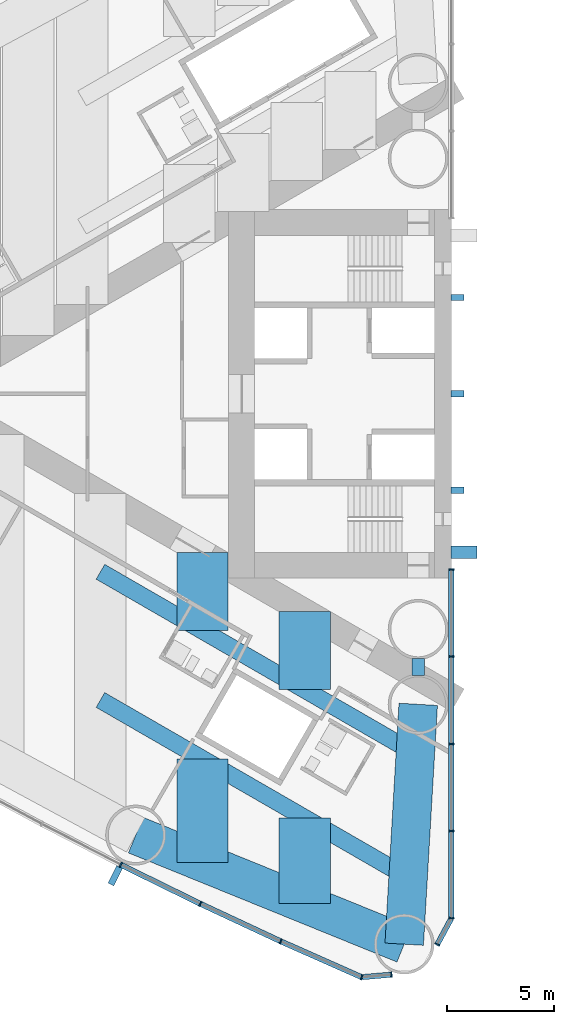
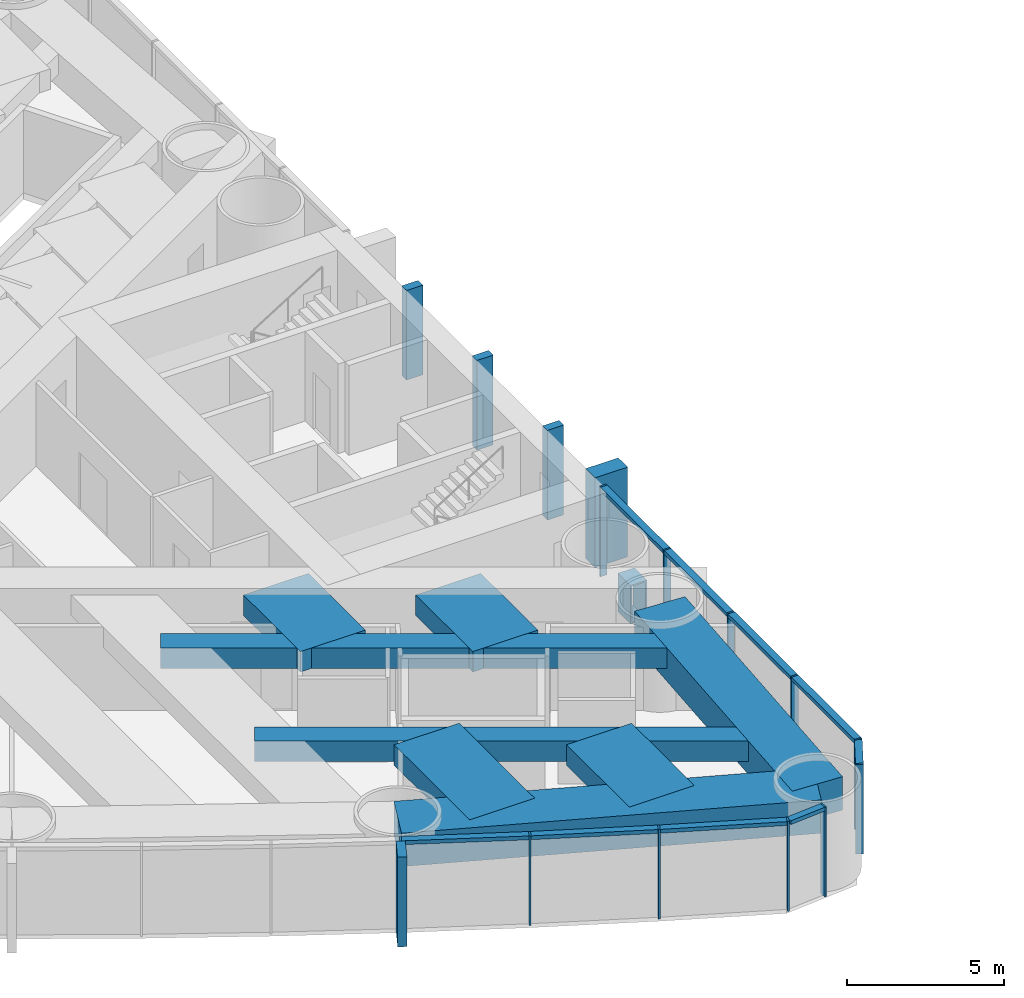
# One storey, part 3 of 19: 25 members, 9 beams, 2 elements without a shape of their own.
"""IFC4 building model written with IfcOpenShell, lengths in metres."""

from ifc_helpers import new_model, si_unit, direction, frame, origin, origin_2d, place, context, subcontext, project, spatial, rectangle, hollow_rectangle, extrude, material, material_profile, profile_set, type_object, element, aggregate, save


model = new_model("IFC4")

# Units and contexts
model_context = context("Model", 3, precision=1e-05, world=origin(), true_north=direction((0.0, 1.0)))
body_context = subcontext(model_context, "Body", "Model", "MODEL_VIEW")
ifc_project = project(units=[si_unit("LENGTHUNIT", "METRE"), si_unit("AREAUNIT", "SQUARE_METRE"), si_unit("VOLUMEUNIT", "CUBIC_METRE"), si_unit("PLANEANGLEUNIT", "RADIAN"), si_unit("MASSUNIT", "GRAM", prefix="KILO")], contexts=[model_context])

# Site, building, storey
site_placement = place(None, origin())
site = spatial("IfcSite", under=ifc_project, at=site_placement, CompositionType="ELEMENT")
building_placement = place(site_placement, origin())
building = spatial("IfcBuilding", under=site, at=building_placement, Name="Lancet Gate Hotel", CompositionType="ELEMENT")
storey_placement = place(building_placement, frame((0.0, 0.0, 63.5)))
storey = spatial("IfcBuildingStorey", under=building, at=storey_placement, Name="L16", CompositionType="ELEMENT", Elevation=63.5)

# Curtain wall, members
ifc_material_1 = material(Name="Aluminium curtain wall", Category="aluminium")
curtain_wall_type = type_object("IfcCurtainWallType", Name="Tower unitised curtain wall", PredefinedType="USERDEFINED", material=ifc_material_1)
curtain_wall_1_placement = place(storey_placement, origin())
curtain_wall_1 = element("IfcCurtainWall", 1, at=curtain_wall_1_placement, inside=storey, type_object=curtain_wall_type, Name="T1 L16 curtain wall 3", ObjectType="UNITISED CURTAIN WALL", PredefinedType="USERDEFINED")
ifc_material_2 = material(Name="Aluminium mullion", Category="aluminium")
ifc_material_profile_1 = material_profile(ifc_material_2, rectangle(XDim=0.06494140625, YDim=0.25, at=origin_2d()), Name="MULLION 65x250")
ifc_profile_set_1 = profile_set([ifc_material_profile_1], Name="Aluminium mullion")
member_type_1 = type_object("IfcMemberType", Name="Aluminium mullion 65x250", PredefinedType="MULLION", material=ifc_profile_set_1)
member_1_placement = place(storey_placement, frame((-42.94189453125, -21.991943359375, 0.0), z_axis=(0.0, 0.0, 1.0), x_axis=(0.893291549794, -0.449477704748, 0.0)))
member_1 = element("IfcMember", 2, at=member_1_placement, type_object=member_type_1, Name="T1 L16 curtain wall 3 mullion 11", PredefinedType="MULLION", context=body_context, shape_type="SweptSolid", body=[
    extrude(rectangle(XDim=0.06494140625, YDim=0.25, at=origin_2d()), origin(), (0.0, 0.0, 1.0), 3.5),
])
member_2_placement = place(storey_placement, frame((-39.225341796875, -23.816650390625, 0.0), z_axis=(0.0, 0.0, 1.0), x_axis=(0.901928838337, -0.431884672772, 0.0)))
member_2 = element("IfcMember", 3, at=member_2_placement, type_object=member_type_1, Name="T1 L16 curtain wall 3 mullion 12", PredefinedType="MULLION", context=body_context, shape_type="SweptSolid", body=[
    extrude(rectangle(XDim=0.06494140625, YDim=0.25, at=origin_2d()), origin(), (0.0, 0.0, 1.0), 3.5),
])
member_3_placement = place(storey_placement, frame((-35.473876953125, -25.568115234375, 0.0), z_axis=(0.0, 0.0, 1.0), x_axis=(0.910219680212, -0.414125746308, 0.0)))
member_3 = element("IfcMember", 4, at=member_3_placement, type_object=member_type_1, Name="T1 L16 curtain wall 3 mullion 13", PredefinedType="MULLION", context=body_context, shape_type="SweptSolid", body=[
    extrude(rectangle(XDim=0.06494140625, YDim=0.25, at=origin_2d()), origin(), (0.0, 0.0, 1.0), 3.5),
])
member_4_placement = place(storey_placement, frame((-31.688720703125, -27.24560546875, 0.0), z_axis=(0.0, 0.0, 1.0), x_axis=(0.957524354695, -0.288352406209, 0.0)))
member_4 = element("IfcMember", 5, at=member_4_placement, type_object=member_type_1, Name="T1 L16 curtain wall 3 mullion 14", PredefinedType="MULLION", context=body_context, shape_type="SweptSolid", body=[
    extrude(rectangle(XDim=0.06494140625, YDim=0.25, at=origin_2d()), origin(), (0.0, 0.0, 1.0), 3.5),
])
member_5_placement = place(storey_placement, frame((-30.3046875, -27.124755859375, 0.0), z_axis=(0.0, 0.0, 1.0), x_axis=(0.99620380374, 0.087051602022, 0.0)))
member_5 = element("IfcMember", 6, at=member_5_placement, type_object=member_type_1, Name="T1 L16 curtain wall 3 mullion 15", PredefinedType="MULLION", context=body_context, shape_type="SweptSolid", body=[
    extrude(rectangle(XDim=0.06494140625, YDim=0.25, at=origin_2d()), origin(), (0.0, 0.0, 1.0), 3.5),
])

curtain_wall_2_placement = place(storey_placement, origin())
curtain_wall_2 = element("IfcCurtainWall", 7, at=curtain_wall_2_placement, inside=storey, type_object=curtain_wall_type, Name="T1 L16 curtain wall 4", ObjectType="UNITISED CURTAIN WALL", PredefinedType="USERDEFINED")
member_6_placement = place(storey_placement, frame((-28.158935546875, -25.712890625, 0.0), z_axis=(0.0, 0.0, 1.0), x_axis=(0.474631040972, 0.880184852714, 0.0)))
member_6 = element("IfcMember", 8, at=member_6_placement, type_object=member_type_1, Name="T1 L16 curtain wall 4 mullion 1", PredefinedType="MULLION", context=body_context, shape_type="SweptSolid", body=[
    extrude(rectangle(XDim=0.06494140625, YDim=0.25, at=origin_2d()), origin(), (0.0, 0.0, 1.0), 3.5),
])
member_7_placement = place(storey_placement, frame((-27.5, -24.4912109375, 0.0), z_axis=(0.0, 0.0, 1.0), x_axis=(0.123482502544, 0.992346749662, 0.0)))
member_7 = element("IfcMember", 9, at=member_7_placement, type_object=member_type_1, Name="T1 L16 curtain wall 4 mullion 2", PredefinedType="MULLION", context=body_context, shape_type="SweptSolid", body=[
    extrude(rectangle(XDim=0.06494140625, YDim=0.25, at=origin_2d()), origin(), (0.0, 0.0, 1.0), 3.5),
])
member_8_placement = place(storey_placement, frame((-27.5, -20.41845703125, 0.0), z_axis=(0.0, 0.0, 1.0), x_axis=(0.0, 1.0, 0.0)))
member_8 = element("IfcMember", 10, at=member_8_placement, type_object=member_type_1, Name="T1 L16 curtain wall 4 mullion 3", PredefinedType="MULLION", context=body_context, shape_type="SweptSolid", body=[
    extrude(rectangle(XDim=0.06494140625, YDim=0.25, at=origin_2d()), origin(), (0.0, 0.0, 1.0), 3.5),
])
member_9_placement = place(storey_placement, frame((-27.5, -16.345703125, 0.0), z_axis=(0.0, 0.0, 1.0), x_axis=(0.0, 1.0, 0.0)))
member_9 = element("IfcMember", 11, at=member_9_placement, type_object=member_type_1, Name="T1 L16 curtain wall 4 mullion 4", PredefinedType="MULLION", context=body_context, shape_type="SweptSolid", body=[
    extrude(rectangle(XDim=0.06494140625, YDim=0.25, at=origin_2d()), origin(), (0.0, 0.0, 1.0), 3.5),
])
member_10_placement = place(storey_placement, frame((-27.5, -12.272705078125, 0.0), z_axis=(0.0, 0.0, 1.0), x_axis=(0.0, 1.0, 0.0)))
member_10 = element("IfcMember", 12, at=member_10_placement, type_object=member_type_1, Name="T1 L16 curtain wall 4 mullion 5", PredefinedType="MULLION", context=body_context, shape_type="SweptSolid", body=[
    extrude(rectangle(XDim=0.06494140625, YDim=0.25, at=origin_2d()), origin(), (0.0, 0.0, 1.0), 3.5),
])
member_11_placement = place(storey_placement, frame((-27.5, -8.199951171875, 0.0), z_axis=(0.0, 0.0, 1.0), x_axis=(0.0, 1.0, 0.0)))
member_11 = element("IfcMember", 13, at=member_11_placement, type_object=member_type_1, Name="T1 L16 curtain wall 4 mullion 6", PredefinedType="MULLION", context=body_context, shape_type="SweptSolid", body=[
    extrude(rectangle(XDim=0.06494140625, YDim=0.25, at=origin_2d()), origin(), (0.0, 0.0, 1.0), 3.5),
])

# Member
ifc_material_3 = material(Name="Aluminium transom", Category="aluminium")
ifc_material_profile_2 = material_profile(ifc_material_3, rectangle(XDim=0.25, YDim=0.14990234375, at=origin_2d()), Name="TRANSOM 250x150")
ifc_profile_set_2 = profile_set([ifc_material_profile_2], Name="Aluminium transom")
member_type_2 = type_object("IfcMemberType", Name="Aluminium transom 250x150", PredefinedType="USERDEFINED", material=ifc_profile_set_2)
member_12_placement = place(storey_placement, frame((-42.912841796875, -22.00634765625, 3.425048828125), z_axis=(0.897662439958, -0.440683723194, 0.0), x_axis=(0.440683723194, 0.897662439958, 0.0)))
member_12 = element("IfcMember", 14, at=member_12_placement, type_object=member_type_2, Name="T1 L16 curtain wall 3 transom 11", ObjectType="TRANSOM", PredefinedType="USERDEFINED", context=body_context, shape_type="SweptSolid", body=[
    extrude(rectangle(XDim=0.25, YDim=0.14990234375, at=origin_2d()), origin(), (0.0, 0.0, 1.0), 4.0751953125),
])

member_13_placement = place(storey_placement, frame((-39.196044921875, -23.830322265625, 3.425048828125), z_axis=(0.906109667261, -0.423042871228, 0.0), x_axis=(0.423042871228, 0.906109667261, 0.0)))
member_13 = element("IfcMember", 15, at=member_13_placement, type_object=member_type_2, Name="T1 L16 curtain wall 3 transom 12", ObjectType="TRANSOM", PredefinedType="USERDEFINED", context=body_context, shape_type="SweptSolid", body=[
    extrude(rectangle(XDim=0.25, YDim=0.14990234375, at=origin_2d()), origin(), (0.0, 0.0, 1.0), 4.075439453125),
])

member_14_placement = place(storey_placement, frame((-35.444091796875, -25.581298828125, 3.425048828125), z_axis=(0.914248281954, -0.405154389022, 0.0), x_axis=(0.405154389022, 0.914248281954, 0.0)))
member_14 = element("IfcMember", 16, at=member_14_placement, type_object=member_type_2, Name="T1 L16 curtain wall 3 transom 13", ObjectType="TRANSOM", PredefinedType="USERDEFINED", context=body_context, shape_type="SweptSolid", body=[
    extrude(rectangle(XDim=0.25, YDim=0.14990234375, at=origin_2d()), origin(), (0.0, 0.0, 1.0), 4.0751953125),
])

member_15_placement = place(storey_placement, frame((-31.65625, -27.242919921875, 3.425048828125), z_axis=(0.99620591587, 0.087027427779, 0.0), x_axis=(-0.087027427779, 0.99620591587, 0.0)))
member_15 = element("IfcMember", 17, at=member_15_placement, type_object=member_type_2, Name="T1 L16 curtain wall 3 transom 14", ObjectType="TRANSOM", PredefinedType="USERDEFINED", context=body_context, shape_type="SweptSolid", body=[
    extrude(rectangle(XDim=0.25, YDim=0.14990234375, at=origin_2d()), origin(), (0.0, 0.0, 1.0), 1.32421875),
])

member_16_placement = place(storey_placement, frame((-28.143310546875, -25.684326171875, 3.425048828125), z_axis=(0.474605926905, 0.880198394765, 0.0), x_axis=(-0.880198394765, 0.474605926905, 0.0)))
member_16 = element("IfcMember", 18, at=member_16_placement, type_object=member_type_2, Name="T1 L16 curtain wall 4 transom 1", ObjectType="TRANSOM", PredefinedType="USERDEFINED", context=body_context, shape_type="SweptSolid", body=[
    extrude(rectangle(XDim=0.25, YDim=0.14990234375, at=origin_2d()), origin(), (0.0, 0.0, 1.0), 1.322998046875),
])

member_17_placement = place(storey_placement, frame((-27.5, -24.458740234375, 3.425048828125), z_axis=(0.0, 1.0, 0.0), x_axis=(-1.0, 0.0, 0.0)))
member_17 = element("IfcMember", 19, at=member_17_placement, type_object=member_type_2, Name="T1 L16 curtain wall 4 transom 2", ObjectType="TRANSOM", PredefinedType="USERDEFINED", context=body_context, shape_type="SweptSolid", body=[
    extrude(rectangle(XDim=0.25, YDim=0.14990234375, at=origin_2d()), origin(), (0.0, 0.0, 1.0), 4.0078125),
])

member_18_placement = place(storey_placement, frame((-27.5, -20.385986328125, 3.425048828125), z_axis=(0.0, 1.0, 0.0), x_axis=(-1.0, 0.0, 0.0)))
member_18 = element("IfcMember", 20, at=member_18_placement, type_object=member_type_2, Name="T1 L16 curtain wall 4 transom 3", ObjectType="TRANSOM", PredefinedType="USERDEFINED", context=body_context, shape_type="SweptSolid", body=[
    extrude(rectangle(XDim=0.25, YDim=0.14990234375, at=origin_2d()), origin(), (0.0, 0.0, 1.0), 4.0078125),
])

member_19_placement = place(storey_placement, frame((-27.5, -16.31298828125, 3.425048828125), z_axis=(0.0, 1.0, 0.0), x_axis=(-1.0, 0.0, 0.0)))
member_19 = element("IfcMember", 21, at=member_19_placement, type_object=member_type_2, Name="T1 L16 curtain wall 4 transom 4", ObjectType="TRANSOM", PredefinedType="USERDEFINED", context=body_context, shape_type="SweptSolid", body=[
    extrude(rectangle(XDim=0.25, YDim=0.14990234375, at=origin_2d()), origin(), (0.0, 0.0, 1.0), 4.0078125),
])

member_20_placement = place(storey_placement, frame((-27.5, -12.240234375, 3.425048828125), z_axis=(0.0, 1.0, 0.0), x_axis=(-1.0, 0.0, 0.0)))
member_20 = element("IfcMember", 22, at=member_20_placement, type_object=member_type_2, Name="T1 L16 curtain wall 4 transom 5", ObjectType="TRANSOM", PredefinedType="USERDEFINED", context=body_context, shape_type="SweptSolid", body=[
    extrude(rectangle(XDim=0.25, YDim=0.14990234375, at=origin_2d()), origin(), (0.0, 0.0, 1.0), 4.0078125),
])

aggregate(curtain_wall_2, [member_6, member_7, member_8, member_9, member_10, member_11, member_16, member_17, member_18, member_19, member_20])

# Beams
ifc_material_4 = material(Name="Concrete C50/60", Category="concrete")
ifc_material_profile_3 = material_profile(ifc_material_4, rectangle(XDim=1.800048828125, YDim=1.300048828125, at=origin_2d()), Name="RC 1800x1300")
ifc_profile_set_3 = profile_set([ifc_material_profile_3], Name="Concrete C50/60")
beam_type_1 = type_object("IfcBeamType", Name="Edge beam RC 1800x1300", PredefinedType="SPANDREL", material=ifc_profile_set_3)
beam_1_placement = place(storey_placement, frame((-42.2451171875, -20.607421875, 2.60009765625), z_axis=(0.926463236197, -0.376385270667, 0.0), x_axis=(0.376385270667, 0.926463236197, 0.0)))
element("IfcBeam", 23, at=beam_1_placement, inside=storey, type_object=beam_type_1, Name="T1 edge beam EB1 L16", PredefinedType="SPANDREL", context=body_context, shape_type="SweptSolid", body=[
    extrude(rectangle(XDim=1.800048828125, YDim=1.300048828125, at=origin_2d()), origin(), (0.0, 0.0, 1.0), 13.537353515625),
])
beam_2_placement = place(storey_placement, frame((-29.050048828125, -14.5, 2.60009765625), z_axis=(-0.058219521912, -0.998303805096, 0.0), x_axis=(0.998303805096, -0.058219521912, 0.0)))
element("IfcBeam", 24, at=beam_2_placement, inside=storey, type_object=beam_type_1, Name="T1 edge beam EB1 L16", PredefinedType="SPANDREL", context=body_context, shape_type="SweptSolid", body=[
    extrude(rectangle(XDim=1.800048828125, YDim=1.300048828125, at=origin_2d()), origin(), (0.0, 0.0, 1.0), 11.2216796875),
])

# Member
ifc_material_5 = material(Name="Concrete C60/75", Category="concrete")
ifc_material_profile_4 = material_profile(ifc_material_5, rectangle(XDim=0.60009765625, YDim=1.199951171875, at=origin_2d()), Name="FIN 600x1200")
ifc_profile_set_4 = profile_set([ifc_material_profile_4], Name="Concrete C60/75")
member_type_3 = type_object("IfcMemberType", Name="Exposed concrete buttress pilaster 600x1200", PredefinedType="USERDEFINED", material=ifc_profile_set_4)
member_21_placement = place(storey_placement, frame((-26.909912109375, -7.39990234375, 0.0), z_axis=(0.0, 0.0, 1.0), x_axis=(0.0, 1.0, 0.0)))
element("IfcMember", 25, at=member_21_placement, inside=storey, type_object=member_type_3, Name="T1 buttress pilaster N L16", ObjectType="FIN", PredefinedType="USERDEFINED", context=body_context, shape_type="SweptSolid", body=[
    extrude(rectangle(XDim=0.60009765625, YDim=1.199951171875, at=origin_2d()), origin(), (0.0, 0.0, 1.0), 3.5),
])

ifc_material_6 = material(Name="Precast concrete C50/60", Category="concrete")
ifc_material_profile_5 = material_profile(ifc_material_6, rectangle(XDim=0.300048828125, YDim=0.89990234375, at=origin_2d()), Name="FIN 300x900")
ifc_profile_set_5 = profile_set([ifc_material_profile_5], Name="Precast concrete C50/60")
member_type_4 = type_object("IfcMemberType", Name="Exposed concrete fin 300x900", PredefinedType="USERDEFINED", material=ifc_profile_set_5)
member_22_placement = place(storey_placement, frame((-43.200439453125, -22.505615234375, 0.0), z_axis=(0.0, 0.0, 1.0), x_axis=(0.893291549794, -0.449477704748, 0.0)))
member_22 = element("IfcMember", 26, at=member_22_placement, type_object=member_type_4, Name="T1 L16 curtain wall 3 fin 11", ObjectType="FIN", PredefinedType="USERDEFINED", context=body_context, shape_type="SweptSolid", body=[
    extrude(rectangle(XDim=0.300048828125, YDim=0.89990234375, at=origin_2d()), origin(), (0.0, 0.0, 1.0), 3.5),
])

aggregate(curtain_wall_1, [member_1, member_22, member_2, member_3, member_4, member_5, member_12, member_13, member_14, member_15])

# Members
ifc_material_7 = material(Name="Concrete C60/75", Category="concrete")
ifc_material_profile_6 = material_profile(ifc_material_7, rectangle(XDim=0.300048828125, YDim=0.60009765625, at=origin_2d()), Name="FIN 300x600")
ifc_profile_set_6 = profile_set([ifc_material_profile_6], Name="Concrete C60/75")
member_type_5 = type_object("IfcMemberType", Name="Exposed concrete rib 300x600", PredefinedType="USERDEFINED", material=ifc_profile_set_6)
for number, where, z_axis, x_axis, name in (
    (27, (-27.2099609375, 4.5, 0.0), (0.0, 0.0, 1.0), (0.0, 1.0, 0.0), "T1 core rib 1 L16"),
    (28, (-27.2099609375, 0.0, 0.0), (0.0, 0.0, 1.0), (0.0, 1.0, 0.0), "T1 core rib 2 L16"),
    (29, (-27.2099609375, -4.5, 0.0), (0.0, 0.0, 1.0), (0.0, 1.0, 0.0), "T1 core rib 3 L16"),
):
    element("IfcMember", number, at=place(storey_placement, frame(where, z_axis=z_axis, x_axis=x_axis)), inside=storey, type_object=member_type_5, Name=name, ObjectType="FIN", PredefinedType="USERDEFINED", context=body_context, shape_type="SweptSolid", body=[
        extrude(rectangle(XDim=0.300048828125, YDim=0.60009765625, at=origin_2d()), origin(), (0.0, 0.0, 1.0), 3.5),
    ])

# Beams
ifc_material_8 = material(Name="Concrete C50/60", Category="concrete")
ifc_material_profile_7 = material_profile(ifc_material_8, rectangle(XDim=2.39990234375, YDim=0.800048828125, at=origin_2d()), Name="RC 2400x800")
ifc_profile_set_7 = profile_set([ifc_material_profile_7], Name="Concrete C50/60")
beam_type_2 = type_object("IfcBeamType", Name="Floor beam RC 2400x800", PredefinedType="BEAM", material=ifc_profile_set_7)
beam_3_placement = place(storey_placement, frame((-34.353515625, -10.169921875, 2.85009765625), z_axis=(0.0, -1.0, 0.0), x_axis=(1.0, 0.0, 0.0)))
element("IfcBeam", 30, at=beam_3_placement, inside=storey, type_object=beam_type_2, Name="T1 floor beam F03NA L16", PredefinedType="BEAM", context=body_context, shape_type="SweptSolid", body=[
    extrude(rectangle(XDim=2.39990234375, YDim=0.800048828125, at=origin_2d()), origin(), (0.0, 0.0, 1.0), 3.645751953125),
])
beam_4_placement = place(storey_placement, frame((-34.353515625, -19.802978515625, 2.85009765625), z_axis=(0.0, -1.0, 0.0), x_axis=(1.0, 0.0, 0.0)))
element("IfcBeam", 31, at=beam_4_placement, inside=storey, type_object=beam_type_2, Name="T1 floor beam F03NB L16", PredefinedType="BEAM", context=body_context, shape_type="SweptSolid", body=[
    extrude(rectangle(XDim=2.39990234375, YDim=0.800048828125, at=origin_2d()), origin(), (0.0, 0.0, 1.0), 4.010498046875),
])
beam_5_placement = place(storey_placement, frame((-39.122314453125, -7.41650390625, 2.85009765625), z_axis=(0.0, -1.0, 0.0), x_axis=(1.0, 0.0, 0.0)))
element("IfcBeam", 32, at=beam_5_placement, inside=storey, type_object=beam_type_2, Name="T1 floor beam F06NA L16", PredefinedType="BEAM", context=body_context, shape_type="SweptSolid", body=[
    extrude(rectangle(XDim=2.39990234375, YDim=0.800048828125, at=origin_2d()), origin(), (0.0, 0.0, 1.0), 3.64599609375),
])
beam_6_placement = place(storey_placement, frame((-39.122314453125, -17.0498046875, 2.85009765625), z_axis=(0.0, -1.0, 0.0), x_axis=(1.0, 0.0, 0.0)))
element("IfcBeam", 33, at=beam_6_placement, inside=storey, type_object=beam_type_2, Name="T1 floor beam F06NB L16", PredefinedType="BEAM", context=body_context, shape_type="SweptSolid", body=[
    extrude(rectangle(XDim=2.39990234375, YDim=0.800048828125, at=origin_2d()), origin(), (0.0, 0.0, 1.0), 4.826416015625),
])
ifc_material_9 = material(Name="Steel S460QL", Category="steel")
ifc_material_profile_8 = material_profile(ifc_material_9, hollow_rectangle(XDim=0.60009765625, YDim=1.5, WallThickness=0.050048828125, at=origin_2d()), Name="BOX 1500x600x50")
ifc_profile_set_8 = profile_set([ifc_material_profile_8], Name="Steel S460QL")
beam_type_3 = type_object("IfcBeamType", Name="Inner-face link beam BOX 1500x600x50", PredefinedType="BEAM", material=ifc_profile_set_8)
beam_7_placement = place(storey_placement, frame((-29.050048828125, -12.35009765625, 2.5), z_axis=(0.0, -1.0, 0.0), x_axis=(1.0, 0.0, 0.0)))
element("IfcBeam", 34, at=beam_7_placement, inside=storey, type_object=beam_type_3, Name="T1 inner-face link beam LK1 L16", PredefinedType="BEAM", context=body_context, shape_type="SweptSolid", body=[
    extrude(hollow_rectangle(XDim=0.60009765625, YDim=1.5, WallThickness=0.050048828125, at=origin_2d()), origin(), (0.0, 0.0, 1.0), 0.7998046875),
])
ifc_material_10 = material(Name="Steel S460QL", Category="steel")
ifc_material_profile_9 = material_profile(ifc_material_10, hollow_rectangle(XDim=0.800048828125, YDim=0.800048828125, WallThickness=0.080078125, at=origin_2d()), Name="BOX 800x800x80")
ifc_profile_set_9 = profile_set([ifc_material_profile_9], Name="Steel S460QL")
beam_type_4 = type_object("IfcBeamType", Name="Trimmer beam BOX 800x800x80", PredefinedType="BEAM", material=ifc_profile_set_9)
for number, where, z_axis, x_axis, name in (
    (35, (-29.58447265625, -22.55615234375, 2.85009765625), (-0.866040141834, 0.49997447208, 0.0), (-0.49997447208, -0.866040141834, 0.0), "T1 trimmer beam TR03N L16"),
    (36, (-29.58447265625, -16.56884765625, 2.85009765625), (-0.866040141834, 0.49997447208, 0.0), (-0.49997447208, -0.866040141834, 0.0), "T1 trimmer beam TR04N L16"),
):
    element("IfcBeam", number, at=place(storey_placement, frame(where, z_axis=z_axis, x_axis=x_axis)), inside=storey, type_object=beam_type_4, Name=name, PredefinedType="BEAM", context=body_context, shape_type="SweptSolid", body=[
        extrude(hollow_rectangle(XDim=0.800048828125, YDim=0.800048828125, WallThickness=0.080078125, at=origin_2d()), origin(), (0.0, 0.0, 1.0), 16.519775390625),
    ])

save(model, "model.ifc")
